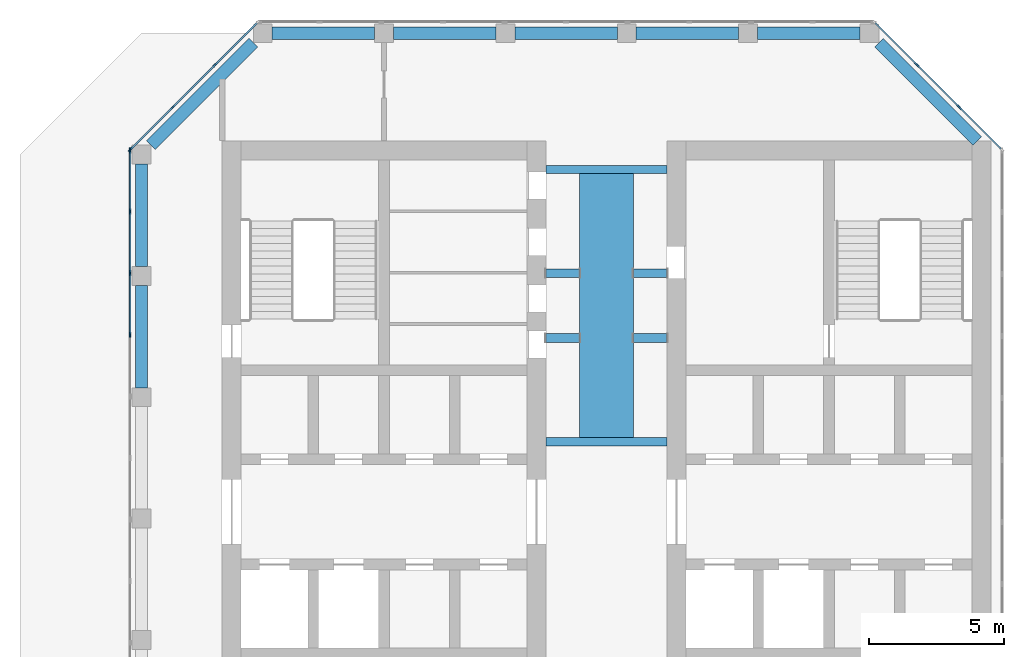
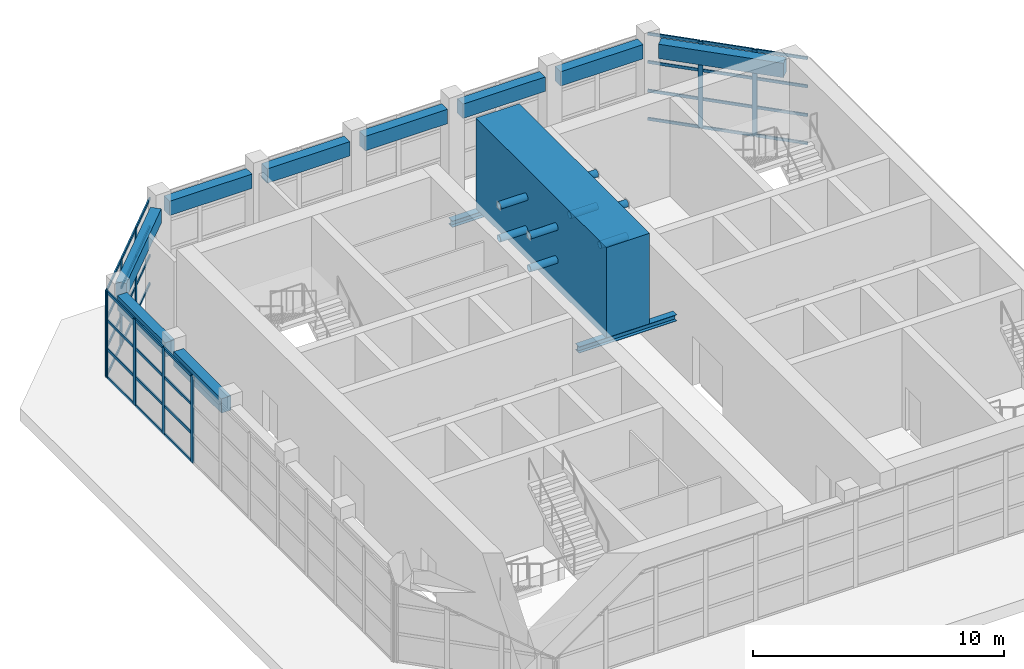
# One storey, part 4 of 13: 54 members, 11 beams, 3 elements without a shape of their own.
"""IFC4 building model written with IfcOpenShell, lengths in metres."""

from ifc_helpers import new_model, si_unit, direction, frame, origin, origin_2d, place, context, subcontext, project, spatial, rectangle, hollow_circle, i_section, extrude, material, material_profile, profile_set, type_object, element, aggregate, save


model = new_model("IFC4")

# Units and contexts
model_context = context("Model", 3, precision=1e-05, world=origin(), true_north=direction((0.0, 1.0)))
body_context = subcontext(model_context, "Body", "Model", "MODEL_VIEW")
ifc_project = project(units=[si_unit("LENGTHUNIT", "METRE"), si_unit("AREAUNIT", "SQUARE_METRE"), si_unit("VOLUMEUNIT", "CUBIC_METRE"), si_unit("PLANEANGLEUNIT", "RADIAN"), si_unit("MASSUNIT", "GRAM", prefix="KILO")], contexts=[model_context])

# Site, building, storey
site_placement = place(None, origin())
site = spatial("IfcSite", under=ifc_project, at=site_placement, CompositionType="ELEMENT")
building_placement = place(site_placement, origin())
building = spatial("IfcBuilding", under=site, at=building_placement, Name="Corbel Stack Research Tower", CompositionType="ELEMENT")
storey_placement = place(building_placement, frame((0.0, 0.0, 311.800048828125)))
storey = spatial("IfcBuildingStorey", under=building, at=storey_placement, Name="L70", CompositionType="ELEMENT", Elevation=311.800048828125)

# Curtain wall, members
ifc_material_1 = material(Name="Aluminium and glass", Category="aluminium")
curtain_wall_type = type_object("IfcCurtainWallType", Name="CW4C damper hall glazing wall, corner", PredefinedType="NOTDEFINED", material=ifc_material_1)
curtain_wall_1_placement = place(storey_placement, origin())
curtain_wall_1 = element("IfcCurtainWall", 1, at=curtain_wall_1_placement, inside=storey, type_object=curtain_wall_type, Name="Damper hall curtain wall L70 2", PredefinedType="NOTDEFINED")
ifc_material_2 = material(Name="Aluminium, anodised", Category="aluminium")
ifc_material_profile_1 = material_profile(ifc_material_2, rectangle(XDim=0.06005859375, YDim=0.199951171875, at=origin_2d()), Name="CW4 mullion 60 x 200")
ifc_profile_set_1 = profile_set([ifc_material_profile_1], Name="Aluminium, anodised")
member_type_1 = type_object("IfcMemberType", Name="CW4 mullion 60 x 200", PredefinedType="MULLION", material=ifc_profile_set_1)
member_1_placement = place(storey_placement, frame((-13.919921875, 11.319580078125, 0.0), z_axis=(0.0, 0.0, 1.0), x_axis=(-1.0, 0.0, 0.0)))
member_1 = element("IfcMember", 2, at=member_1_placement, type_object=member_type_1, Name="CW4C mullion 8", PredefinedType="MULLION", context=body_context, shape_type="SweptSolid", body=[
    extrude(rectangle(XDim=0.06005859375, YDim=0.199951171875, at=origin_2d()), origin(), (0.0, 0.0, 1.0), 4.199951171875),
])
member_2_placement = place(storey_placement, frame((-13.919921875, 13.6044921875, 0.0), z_axis=(0.0, 0.0, 1.0), x_axis=(-1.0, 0.0, 0.0)))
member_2 = element("IfcMember", 3, at=member_2_placement, type_object=member_type_1, Name="CW4C mullion 9", PredefinedType="MULLION", context=body_context, shape_type="SweptSolid", body=[
    extrude(rectangle(XDim=0.06005859375, YDim=0.199951171875, at=origin_2d()), origin(), (0.0, 0.0, 1.0), 4.199951171875),
])
member_3_placement = place(storey_placement, frame((-13.919921875, 15.88916015625, 0.0), z_axis=(0.0, 0.0, 1.0), x_axis=(-1.0, 0.0, 0.0)))
member_3 = element("IfcMember", 4, at=member_3_placement, type_object=member_type_1, Name="CW4C mullion 10", PredefinedType="MULLION", context=body_context, shape_type="SweptSolid", body=[
    extrude(rectangle(XDim=0.06005859375, YDim=0.199951171875, at=origin_2d()), origin(), (0.0, 0.0, 1.0), 4.199951171875),
])
member_4_placement = place(storey_placement, frame((-13.919921875, 18.14404296875, 0.0), z_axis=(0.0, 0.0, 1.0), x_axis=(-1.0, 0.0, 0.0)))
member_4 = element("IfcMember", 5, at=member_4_placement, type_object=member_type_1, Name="CW4C mullion 11", PredefinedType="MULLION", context=body_context, shape_type="SweptSolid", body=[
    extrude(rectangle(XDim=0.06005859375, YDim=0.199951171875, at=origin_2d()), origin(), (0.0, 0.0, 1.0), 4.199951171875),
])

curtain_wall_2_placement = place(storey_placement, origin())
curtain_wall_2 = element("IfcCurtainWall", 6, at=curtain_wall_2_placement, inside=storey, type_object=curtain_wall_type, Name="Damper hall curtain wall L70 3", PredefinedType="NOTDEFINED")
member_5_placement = place(storey_placement, frame((-13.898681640625, 18.1953125, 0.0), z_axis=(0.0, 0.0, 1.0), x_axis=(-0.707106781187, 0.707106781187, 0.0)))
member_5 = element("IfcMember", 7, at=member_5_placement, type_object=member_type_1, Name="CW4C mullion 1", PredefinedType="MULLION", context=body_context, shape_type="SweptSolid", body=[
    extrude(rectangle(XDim=0.06005859375, YDim=0.199951171875, at=origin_2d()), origin(), (0.0, 0.0, 1.0), 4.199951171875),
])
member_6_placement = place(storey_placement, frame((-12.337890625, 19.756103515625, 0.0), z_axis=(0.0, 0.0, 1.0), x_axis=(-0.707106781187, 0.707106781187, 0.0)))
member_6 = element("IfcMember", 8, at=member_6_placement, type_object=member_type_1, Name="CW4C mullion 2", PredefinedType="MULLION", context=body_context, shape_type="SweptSolid", body=[
    extrude(rectangle(XDim=0.06005859375, YDim=0.199951171875, at=origin_2d()), origin(), (0.0, 0.0, 1.0), 4.199951171875),
])
member_7_placement = place(storey_placement, frame((-10.756103515625, 21.337890625, 0.0), z_axis=(0.0, 0.0, 1.0), x_axis=(-0.707106781187, 0.707106781187, 0.0)))
member_7 = element("IfcMember", 9, at=member_7_placement, type_object=member_type_1, Name="CW4C mullion 3", PredefinedType="MULLION", context=body_context, shape_type="SweptSolid", body=[
    extrude(rectangle(XDim=0.06005859375, YDim=0.199951171875, at=origin_2d()), origin(), (0.0, 0.0, 1.0), 4.199951171875),
])

curtain_wall_3_placement = place(storey_placement, origin())
curtain_wall_3 = element("IfcCurtainWall", 10, at=curtain_wall_3_placement, inside=storey, type_object=curtain_wall_type, Name="Damper hall curtain wall L70 5", PredefinedType="NOTDEFINED")
member_8_placement = place(storey_placement, frame((15.256103515625, 21.337890625, 0.0), z_axis=(0.0, 0.0, 1.0), x_axis=(0.707106781187, 0.707106781187, 0.0)))
member_8 = element("IfcMember", 11, at=member_8_placement, type_object=member_type_1, Name="CW4C mullion 2", PredefinedType="MULLION", context=body_context, shape_type="SweptSolid", body=[
    extrude(rectangle(XDim=0.06005859375, YDim=0.199951171875, at=origin_2d()), origin(), (0.0, 0.0, 1.0), 4.199951171875),
])
member_9_placement = place(storey_placement, frame((16.837890625, 19.756103515625, 0.0), z_axis=(0.0, 0.0, 1.0), x_axis=(0.707106781187, 0.707106781187, 0.0)))
member_9 = element("IfcMember", 12, at=member_9_placement, type_object=member_type_1, Name="CW4C mullion 3", PredefinedType="MULLION", context=body_context, shape_type="SweptSolid", body=[
    extrude(rectangle(XDim=0.06005859375, YDim=0.199951171875, at=origin_2d()), origin(), (0.0, 0.0, 1.0), 4.199951171875),
])

# Member
ifc_material_3 = material(Name="Aluminium, anodised", Category="aluminium")
ifc_material_profile_2 = material_profile(ifc_material_3, rectangle(XDim=0.06005859375, YDim=0.139892578125, at=origin_2d()), Name="CW4 transom 60 x 140")
ifc_profile_set_2 = profile_set([ifc_material_profile_2], Name="Aluminium, anodised")
member_type_2 = type_object("IfcMemberType", Name="CW4 transom 60 x 140", PredefinedType="USERDEFINED", material=ifc_profile_set_2)
member_10_placement = place(storey_placement, frame((-13.919921875, 11.349609375, 0.030029296875), z_axis=(0.0, 1.0, 0.0), x_axis=(-1.0, 0.0, 0.0)))
member_10 = element("IfcMember", 13, at=member_10_placement, type_object=member_type_2, Name="CW4C transom 8.1", ObjectType="TRANSOM", PredefinedType="USERDEFINED", context=body_context, shape_type="SweptSolid", body=[
    extrude(rectangle(XDim=0.06005859375, YDim=0.139892578125, at=origin_2d()), origin(), (0.0, 0.0, 1.0), 2.224853515625),
])

member_11_placement = place(storey_placement, frame((-13.919921875, 11.349609375, 1.39990234375), z_axis=(0.0, 1.0, 0.0), x_axis=(-1.0, 0.0, 0.0)))
member_11 = element("IfcMember", 14, at=member_11_placement, type_object=member_type_2, Name="CW4C transom 8.2", ObjectType="TRANSOM", PredefinedType="USERDEFINED", context=body_context, shape_type="SweptSolid", body=[
    extrude(rectangle(XDim=0.06005859375, YDim=0.139892578125, at=origin_2d()), origin(), (0.0, 0.0, 1.0), 2.224853515625),
])

member_12_placement = place(storey_placement, frame((-13.919921875, 11.349609375, 2.800048828125), z_axis=(0.0, 1.0, 0.0), x_axis=(-1.0, 0.0, 0.0)))
member_12 = element("IfcMember", 15, at=member_12_placement, type_object=member_type_2, Name="CW4C transom 8.3", ObjectType="TRANSOM", PredefinedType="USERDEFINED", context=body_context, shape_type="SweptSolid", body=[
    extrude(rectangle(XDim=0.06005859375, YDim=0.139892578125, at=origin_2d()), origin(), (0.0, 0.0, 1.0), 2.224853515625),
])

member_13_placement = place(storey_placement, frame((-13.919921875, 11.349609375, 4.169921875), z_axis=(0.0, 1.0, 0.0), x_axis=(-1.0, 0.0, 0.0)))
member_13 = element("IfcMember", 16, at=member_13_placement, type_object=member_type_2, Name="CW4C transom 8.4", ObjectType="TRANSOM", PredefinedType="USERDEFINED", context=body_context, shape_type="SweptSolid", body=[
    extrude(rectangle(XDim=0.06005859375, YDim=0.139892578125, at=origin_2d()), origin(), (0.0, 0.0, 1.0), 2.224853515625),
])

member_14_placement = place(storey_placement, frame((-13.919921875, 13.634521484375, 0.030029296875), z_axis=(0.0, 1.0, 0.0), x_axis=(-1.0, 0.0, 0.0)))
member_14 = element("IfcMember", 17, at=member_14_placement, type_object=member_type_2, Name="CW4C transom 9.1", ObjectType="TRANSOM", PredefinedType="USERDEFINED", context=body_context, shape_type="SweptSolid", body=[
    extrude(rectangle(XDim=0.06005859375, YDim=0.139892578125, at=origin_2d()), origin(), (0.0, 0.0, 1.0), 2.224609375),
])

member_15_placement = place(storey_placement, frame((-13.919921875, 13.634521484375, 1.39990234375), z_axis=(0.0, 1.0, 0.0), x_axis=(-1.0, 0.0, 0.0)))
member_15 = element("IfcMember", 18, at=member_15_placement, type_object=member_type_2, Name="CW4C transom 9.2", ObjectType="TRANSOM", PredefinedType="USERDEFINED", context=body_context, shape_type="SweptSolid", body=[
    extrude(rectangle(XDim=0.06005859375, YDim=0.139892578125, at=origin_2d()), origin(), (0.0, 0.0, 1.0), 2.224609375),
])

member_16_placement = place(storey_placement, frame((-13.919921875, 13.634521484375, 2.800048828125), z_axis=(0.0, 1.0, 0.0), x_axis=(-1.0, 0.0, 0.0)))
member_16 = element("IfcMember", 19, at=member_16_placement, type_object=member_type_2, Name="CW4C transom 9.3", ObjectType="TRANSOM", PredefinedType="USERDEFINED", context=body_context, shape_type="SweptSolid", body=[
    extrude(rectangle(XDim=0.06005859375, YDim=0.139892578125, at=origin_2d()), origin(), (0.0, 0.0, 1.0), 2.224609375),
])

member_17_placement = place(storey_placement, frame((-13.919921875, 13.634521484375, 4.169921875), z_axis=(0.0, 1.0, 0.0), x_axis=(-1.0, 0.0, 0.0)))
member_17 = element("IfcMember", 20, at=member_17_placement, type_object=member_type_2, Name="CW4C transom 9.4", ObjectType="TRANSOM", PredefinedType="USERDEFINED", context=body_context, shape_type="SweptSolid", body=[
    extrude(rectangle(XDim=0.06005859375, YDim=0.139892578125, at=origin_2d()), origin(), (0.0, 0.0, 1.0), 2.224609375),
])

member_18_placement = place(storey_placement, frame((-13.919921875, 15.919189453125, 0.030029296875), z_axis=(0.0, 1.0, 0.0), x_axis=(-1.0, 0.0, 0.0)))
member_18 = element("IfcMember", 21, at=member_18_placement, type_object=member_type_2, Name="CW4C transom 10.1", ObjectType="TRANSOM", PredefinedType="USERDEFINED", context=body_context, shape_type="SweptSolid", body=[
    extrude(rectangle(XDim=0.06005859375, YDim=0.139892578125, at=origin_2d()), origin(), (0.0, 0.0, 1.0), 2.19482421875),
])

member_19_placement = place(storey_placement, frame((-13.919921875, 15.919189453125, 1.39990234375), z_axis=(0.0, 1.0, 0.0), x_axis=(-1.0, 0.0, 0.0)))
member_19 = element("IfcMember", 22, at=member_19_placement, type_object=member_type_2, Name="CW4C transom 10.2", ObjectType="TRANSOM", PredefinedType="USERDEFINED", context=body_context, shape_type="SweptSolid", body=[
    extrude(rectangle(XDim=0.06005859375, YDim=0.139892578125, at=origin_2d()), origin(), (0.0, 0.0, 1.0), 2.19482421875),
])

member_20_placement = place(storey_placement, frame((-13.919921875, 15.919189453125, 2.800048828125), z_axis=(0.0, 1.0, 0.0), x_axis=(-1.0, 0.0, 0.0)))
member_20 = element("IfcMember", 23, at=member_20_placement, type_object=member_type_2, Name="CW4C transom 10.3", ObjectType="TRANSOM", PredefinedType="USERDEFINED", context=body_context, shape_type="SweptSolid", body=[
    extrude(rectangle(XDim=0.06005859375, YDim=0.139892578125, at=origin_2d()), origin(), (0.0, 0.0, 1.0), 2.19482421875),
])

member_21_placement = place(storey_placement, frame((-13.919921875, 15.919189453125, 4.169921875), z_axis=(0.0, 1.0, 0.0), x_axis=(-1.0, 0.0, 0.0)))
member_21 = element("IfcMember", 24, at=member_21_placement, type_object=member_type_2, Name="CW4C transom 10.4", ObjectType="TRANSOM", PredefinedType="USERDEFINED", context=body_context, shape_type="SweptSolid", body=[
    extrude(rectangle(XDim=0.06005859375, YDim=0.139892578125, at=origin_2d()), origin(), (0.0, 0.0, 1.0), 2.19482421875),
])

aggregate(curtain_wall_1, [member_1, member_2, member_3, member_4, member_10, member_11, member_12, member_13, member_14, member_15, member_16, member_17, member_18, member_19, member_20, member_21])

member_22_placement = place(storey_placement, frame((-13.877685546875, 18.21630859375, 0.030029296875), z_axis=(0.707106781187, 0.707106781187, 0.0), x_axis=(-0.707106781187, 0.707106781187, 0.0)))
member_22 = element("IfcMember", 25, at=member_22_placement, type_object=member_type_2, Name="CW4C transom 1.1", ObjectType="TRANSOM", PredefinedType="USERDEFINED", context=body_context, shape_type="SweptSolid", body=[
    extrude(rectangle(XDim=0.06005859375, YDim=0.139892578125, at=origin_2d()), origin(), (0.0, 0.0, 1.0), 2.1474609375),
])

member_23_placement = place(storey_placement, frame((-13.877685546875, 18.21630859375, 1.39990234375), z_axis=(0.707106781187, 0.707106781187, 0.0), x_axis=(-0.707106781187, 0.707106781187, 0.0)))
member_23 = element("IfcMember", 26, at=member_23_placement, type_object=member_type_2, Name="CW4C transom 1.2", ObjectType="TRANSOM", PredefinedType="USERDEFINED", context=body_context, shape_type="SweptSolid", body=[
    extrude(rectangle(XDim=0.06005859375, YDim=0.139892578125, at=origin_2d()), origin(), (0.0, 0.0, 1.0), 2.1474609375),
])

member_24_placement = place(storey_placement, frame((-13.877685546875, 18.21630859375, 2.800048828125), z_axis=(0.707106781187, 0.707106781187, 0.0), x_axis=(-0.707106781187, 0.707106781187, 0.0)))
member_24 = element("IfcMember", 27, at=member_24_placement, type_object=member_type_2, Name="CW4C transom 1.3", ObjectType="TRANSOM", PredefinedType="USERDEFINED", context=body_context, shape_type="SweptSolid", body=[
    extrude(rectangle(XDim=0.06005859375, YDim=0.139892578125, at=origin_2d()), origin(), (0.0, 0.0, 1.0), 2.1474609375),
])

member_25_placement = place(storey_placement, frame((-13.877685546875, 18.21630859375, 4.169921875), z_axis=(0.707106781187, 0.707106781187, 0.0), x_axis=(-0.707106781187, 0.707106781187, 0.0)))
member_25 = element("IfcMember", 28, at=member_25_placement, type_object=member_type_2, Name="CW4C transom 1.4", ObjectType="TRANSOM", PredefinedType="USERDEFINED", context=body_context, shape_type="SweptSolid", body=[
    extrude(rectangle(XDim=0.06005859375, YDim=0.139892578125, at=origin_2d()), origin(), (0.0, 0.0, 1.0), 2.1474609375),
])

member_26_placement = place(storey_placement, frame((-12.31689453125, 19.777099609375, 0.030029296875), z_axis=(0.707106781187, 0.707106781187, 0.0), x_axis=(-0.707106781187, 0.707106781187, 0.0)))
member_26 = element("IfcMember", 29, at=member_26_placement, type_object=member_type_2, Name="CW4C transom 2.1", ObjectType="TRANSOM", PredefinedType="USERDEFINED", context=body_context, shape_type="SweptSolid", body=[
    extrude(rectangle(XDim=0.06005859375, YDim=0.139892578125, at=origin_2d()), origin(), (0.0, 0.0, 1.0), 2.177490234375),
])

member_27_placement = place(storey_placement, frame((-12.31689453125, 19.777099609375, 1.39990234375), z_axis=(0.707106781187, 0.707106781187, 0.0), x_axis=(-0.707106781187, 0.707106781187, 0.0)))
member_27 = element("IfcMember", 30, at=member_27_placement, type_object=member_type_2, Name="CW4C transom 2.2", ObjectType="TRANSOM", PredefinedType="USERDEFINED", context=body_context, shape_type="SweptSolid", body=[
    extrude(rectangle(XDim=0.06005859375, YDim=0.139892578125, at=origin_2d()), origin(), (0.0, 0.0, 1.0), 2.177490234375),
])

member_28_placement = place(storey_placement, frame((-12.31689453125, 19.777099609375, 2.800048828125), z_axis=(0.707106781187, 0.707106781187, 0.0), x_axis=(-0.707106781187, 0.707106781187, 0.0)))
member_28 = element("IfcMember", 31, at=member_28_placement, type_object=member_type_2, Name="CW4C transom 2.3", ObjectType="TRANSOM", PredefinedType="USERDEFINED", context=body_context, shape_type="SweptSolid", body=[
    extrude(rectangle(XDim=0.06005859375, YDim=0.139892578125, at=origin_2d()), origin(), (0.0, 0.0, 1.0), 2.177490234375),
])

member_29_placement = place(storey_placement, frame((-12.31689453125, 19.777099609375, 4.169921875), z_axis=(0.707106781187, 0.707106781187, 0.0), x_axis=(-0.707106781187, 0.707106781187, 0.0)))
member_29 = element("IfcMember", 32, at=member_29_placement, type_object=member_type_2, Name="CW4C transom 2.4", ObjectType="TRANSOM", PredefinedType="USERDEFINED", context=body_context, shape_type="SweptSolid", body=[
    extrude(rectangle(XDim=0.06005859375, YDim=0.139892578125, at=origin_2d()), origin(), (0.0, 0.0, 1.0), 2.177490234375),
])

member_30_placement = place(storey_placement, frame((-10.73486328125, 21.359130859375, 0.030029296875), z_axis=(0.707106781187, 0.707106781187, 0.0), x_axis=(-0.707106781187, 0.707106781187, 0.0)))
member_30 = element("IfcMember", 33, at=member_30_placement, type_object=member_type_2, Name="CW4C transom 3.1", ObjectType="TRANSOM", PredefinedType="USERDEFINED", context=body_context, shape_type="SweptSolid", body=[
    extrude(rectangle(XDim=0.06005859375, YDim=0.139892578125, at=origin_2d()), origin(), (0.0, 0.0, 1.0), 2.1474609375),
])

member_31_placement = place(storey_placement, frame((-10.73486328125, 21.359130859375, 1.39990234375), z_axis=(0.707106781187, 0.707106781187, 0.0), x_axis=(-0.707106781187, 0.707106781187, 0.0)))
member_31 = element("IfcMember", 34, at=member_31_placement, type_object=member_type_2, Name="CW4C transom 3.2", ObjectType="TRANSOM", PredefinedType="USERDEFINED", context=body_context, shape_type="SweptSolid", body=[
    extrude(rectangle(XDim=0.06005859375, YDim=0.139892578125, at=origin_2d()), origin(), (0.0, 0.0, 1.0), 2.1474609375),
])

member_32_placement = place(storey_placement, frame((-10.73486328125, 21.359130859375, 2.800048828125), z_axis=(0.707106781187, 0.707106781187, 0.0), x_axis=(-0.707106781187, 0.707106781187, 0.0)))
member_32 = element("IfcMember", 35, at=member_32_placement, type_object=member_type_2, Name="CW4C transom 3.3", ObjectType="TRANSOM", PredefinedType="USERDEFINED", context=body_context, shape_type="SweptSolid", body=[
    extrude(rectangle(XDim=0.06005859375, YDim=0.139892578125, at=origin_2d()), origin(), (0.0, 0.0, 1.0), 2.1474609375),
])

member_33_placement = place(storey_placement, frame((-10.73486328125, 21.359130859375, 4.169921875), z_axis=(0.707106781187, 0.707106781187, 0.0), x_axis=(-0.707106781187, 0.707106781187, 0.0)))
member_33 = element("IfcMember", 36, at=member_33_placement, type_object=member_type_2, Name="CW4C transom 3.4", ObjectType="TRANSOM", PredefinedType="USERDEFINED", context=body_context, shape_type="SweptSolid", body=[
    extrude(rectangle(XDim=0.06005859375, YDim=0.139892578125, at=origin_2d()), origin(), (0.0, 0.0, 1.0), 2.1474609375),
])

aggregate(curtain_wall_2, [member_5, member_6, member_7, member_22, member_23, member_24, member_25, member_26, member_27, member_28, member_29, member_30, member_31, member_32, member_33])

member_34_placement = place(storey_placement, frame((13.71630859375, 22.877685546875, 0.030029296875), z_axis=(0.707106781187, -0.707106781187, 0.0), x_axis=(0.707106781187, 0.707106781187, 0.0)))
member_34 = element("IfcMember", 37, at=member_34_placement, type_object=member_type_2, Name="CW4C transom 1.1", ObjectType="TRANSOM", PredefinedType="USERDEFINED", context=body_context, shape_type="SweptSolid", body=[
    extrude(rectangle(XDim=0.06005859375, YDim=0.139892578125, at=origin_2d()), origin(), (0.0, 0.0, 1.0), 2.1474609375),
])

member_35_placement = place(storey_placement, frame((13.71630859375, 22.877685546875, 1.39990234375), z_axis=(0.707106781187, -0.707106781187, 0.0), x_axis=(0.707106781187, 0.707106781187, 0.0)))
member_35 = element("IfcMember", 38, at=member_35_placement, type_object=member_type_2, Name="CW4C transom 1.2", ObjectType="TRANSOM", PredefinedType="USERDEFINED", context=body_context, shape_type="SweptSolid", body=[
    extrude(rectangle(XDim=0.06005859375, YDim=0.139892578125, at=origin_2d()), origin(), (0.0, 0.0, 1.0), 2.1474609375),
])

member_36_placement = place(storey_placement, frame((13.71630859375, 22.877685546875, 2.800048828125), z_axis=(0.707106781187, -0.707106781187, 0.0), x_axis=(0.707106781187, 0.707106781187, 0.0)))
member_36 = element("IfcMember", 39, at=member_36_placement, type_object=member_type_2, Name="CW4C transom 1.3", ObjectType="TRANSOM", PredefinedType="USERDEFINED", context=body_context, shape_type="SweptSolid", body=[
    extrude(rectangle(XDim=0.06005859375, YDim=0.139892578125, at=origin_2d()), origin(), (0.0, 0.0, 1.0), 2.1474609375),
])

member_37_placement = place(storey_placement, frame((13.71630859375, 22.877685546875, 4.169921875), z_axis=(0.707106781187, -0.707106781187, 0.0), x_axis=(0.707106781187, 0.707106781187, 0.0)))
member_37 = element("IfcMember", 40, at=member_37_placement, type_object=member_type_2, Name="CW4C transom 1.4", ObjectType="TRANSOM", PredefinedType="USERDEFINED", context=body_context, shape_type="SweptSolid", body=[
    extrude(rectangle(XDim=0.06005859375, YDim=0.139892578125, at=origin_2d()), origin(), (0.0, 0.0, 1.0), 2.1474609375),
])

member_38_placement = place(storey_placement, frame((15.277099609375, 21.31689453125, 0.030029296875), z_axis=(0.707106781187, -0.707106781187, 0.0), x_axis=(0.707106781187, 0.707106781187, 0.0)))
member_38 = element("IfcMember", 41, at=member_38_placement, type_object=member_type_2, Name="CW4C transom 2.1", ObjectType="TRANSOM", PredefinedType="USERDEFINED", context=body_context, shape_type="SweptSolid", body=[
    extrude(rectangle(XDim=0.06005859375, YDim=0.139892578125, at=origin_2d()), origin(), (0.0, 0.0, 1.0), 2.177490234375),
])

member_39_placement = place(storey_placement, frame((15.277099609375, 21.31689453125, 1.39990234375), z_axis=(0.707106781187, -0.707106781187, 0.0), x_axis=(0.707106781187, 0.707106781187, 0.0)))
member_39 = element("IfcMember", 42, at=member_39_placement, type_object=member_type_2, Name="CW4C transom 2.2", ObjectType="TRANSOM", PredefinedType="USERDEFINED", context=body_context, shape_type="SweptSolid", body=[
    extrude(rectangle(XDim=0.06005859375, YDim=0.139892578125, at=origin_2d()), origin(), (0.0, 0.0, 1.0), 2.177490234375),
])

member_40_placement = place(storey_placement, frame((15.277099609375, 21.31689453125, 2.800048828125), z_axis=(0.707106781187, -0.707106781187, 0.0), x_axis=(0.707106781187, 0.707106781187, 0.0)))
member_40 = element("IfcMember", 43, at=member_40_placement, type_object=member_type_2, Name="CW4C transom 2.3", ObjectType="TRANSOM", PredefinedType="USERDEFINED", context=body_context, shape_type="SweptSolid", body=[
    extrude(rectangle(XDim=0.06005859375, YDim=0.139892578125, at=origin_2d()), origin(), (0.0, 0.0, 1.0), 2.177490234375),
])

member_41_placement = place(storey_placement, frame((15.277099609375, 21.31689453125, 4.169921875), z_axis=(0.707106781187, -0.707106781187, 0.0), x_axis=(0.707106781187, 0.707106781187, 0.0)))
member_41 = element("IfcMember", 44, at=member_41_placement, type_object=member_type_2, Name="CW4C transom 2.4", ObjectType="TRANSOM", PredefinedType="USERDEFINED", context=body_context, shape_type="SweptSolid", body=[
    extrude(rectangle(XDim=0.06005859375, YDim=0.139892578125, at=origin_2d()), origin(), (0.0, 0.0, 1.0), 2.177490234375),
])

member_42_placement = place(storey_placement, frame((16.859130859375, 19.73486328125, 0.030029296875), z_axis=(0.707106781187, -0.707106781187, 0.0), x_axis=(0.707106781187, 0.707106781187, 0.0)))
member_42 = element("IfcMember", 45, at=member_42_placement, type_object=member_type_2, Name="CW4C transom 3.1", ObjectType="TRANSOM", PredefinedType="USERDEFINED", context=body_context, shape_type="SweptSolid", body=[
    extrude(rectangle(XDim=0.06005859375, YDim=0.139892578125, at=origin_2d()), origin(), (0.0, 0.0, 1.0), 2.1474609375),
])

member_43_placement = place(storey_placement, frame((16.859130859375, 19.73486328125, 1.39990234375), z_axis=(0.707106781187, -0.707106781187, 0.0), x_axis=(0.707106781187, 0.707106781187, 0.0)))
member_43 = element("IfcMember", 46, at=member_43_placement, type_object=member_type_2, Name="CW4C transom 3.2", ObjectType="TRANSOM", PredefinedType="USERDEFINED", context=body_context, shape_type="SweptSolid", body=[
    extrude(rectangle(XDim=0.06005859375, YDim=0.139892578125, at=origin_2d()), origin(), (0.0, 0.0, 1.0), 2.1474609375),
])

member_44_placement = place(storey_placement, frame((16.859130859375, 19.73486328125, 2.800048828125), z_axis=(0.707106781187, -0.707106781187, 0.0), x_axis=(0.707106781187, 0.707106781187, 0.0)))
member_44 = element("IfcMember", 47, at=member_44_placement, type_object=member_type_2, Name="CW4C transom 3.3", ObjectType="TRANSOM", PredefinedType="USERDEFINED", context=body_context, shape_type="SweptSolid", body=[
    extrude(rectangle(XDim=0.06005859375, YDim=0.139892578125, at=origin_2d()), origin(), (0.0, 0.0, 1.0), 2.1474609375),
])

member_45_placement = place(storey_placement, frame((16.859130859375, 19.73486328125, 4.169921875), z_axis=(0.707106781187, -0.707106781187, 0.0), x_axis=(0.707106781187, 0.707106781187, 0.0)))
member_45 = element("IfcMember", 48, at=member_45_placement, type_object=member_type_2, Name="CW4C transom 3.4", ObjectType="TRANSOM", PredefinedType="USERDEFINED", context=body_context, shape_type="SweptSolid", body=[
    extrude(rectangle(XDim=0.06005859375, YDim=0.139892578125, at=origin_2d()), origin(), (0.0, 0.0, 1.0), 2.1474609375),
])

aggregate(curtain_wall_3, [member_8, member_9, member_34, member_35, member_36, member_37, member_38, member_39, member_40, member_41, member_42, member_43, member_44, member_45])

# Beams
ifc_material_4 = material(Name="Steel S355", Category="steel")
ifc_material_profile_3 = material_profile(ifc_material_4, i_section(OverallWidth=0.304931640625, OverallDepth=0.30810546875, WebThickness=0.010009765625, FlangeThickness=0.014892578125, at=origin_2d()), Name="W12x65")
ifc_profile_set_3 = profile_set([ifc_material_profile_3], Name="Steel S355")
beam_type_1 = type_object("IfcBeamType", Name="Damper mass support beam W12x65", PredefinedType="BEAM", material=ifc_profile_set_3)
for number, where, z_axis, x_axis, name in (
    (49, (1.5, 7.35009765625, 2.5458984375), (1.0, 0.0, 0.0), (0.0, 1.0, 0.0), "Damper mass support beam 1"),
    (50, (1.5, 17.449951171875, 2.5458984375), (1.0, 0.0, 0.0), (0.0, 1.0, 0.0), "Damper mass support beam 2"),
):
    element("IfcBeam", number, at=place(storey_placement, frame(where, z_axis=z_axis, x_axis=x_axis)), inside=storey, type_object=beam_type_1, Name=name, PredefinedType="BEAM", context=body_context, shape_type="SweptSolid", body=[
        extrude(i_section(OverallWidth=0.304931640625, OverallDepth=0.30810546875, WebThickness=0.010009765625, FlangeThickness=0.014892578125, at=origin_2d()), origin(), (0.0, 0.0, 1.0), 4.5),
    ])
ifc_material_5 = material(Name="Concrete C60/75", Category="concrete")
ifc_material_profile_4 = material_profile(ifc_material_5, rectangle(XDim=0.449951171875, YDim=0.699951171875, at=origin_2d()), Name="RC 450 x 700")
ifc_profile_set_4 = profile_set([ifc_material_profile_4], Name="Concrete C60/75")
beam_type_2 = type_object("IfcBeamType", Name="SB-450-700", PredefinedType="SPANDREL", material=ifc_profile_set_4)
beam_1_placement = place(storey_placement, frame((17.5, 18.5, 3.849853515625), z_axis=(-0.707106781187, 0.707106781187, 0.0), x_axis=(-0.707106781187, -0.707106781187, 0.0)))
element("IfcBeam", 51, at=beam_1_placement, inside=storey, type_object=beam_type_2, Name="Spandrel beam L70-03", PredefinedType="SPANDREL", context=body_context, shape_type="SweptSolid", body=[
    extrude(rectangle(XDim=0.449951171875, YDim=0.699951171875, at=origin_2d()), origin(), (0.0, 0.0, 1.0), 5.16162109375),
])
for number, where, z_axis, x_axis, name in (
    (52, (13.14990234375, 22.5, 3.849853515625), (-1.0, 0.0, 0.0), (0.0, -1.0, 0.0), "Spandrel beam L70-04"),
    (53, (8.64990234375, 22.5, 3.849853515625), (-1.0, 0.0, 0.0), (0.0, -1.0, 0.0), "Spandrel beam L70-05"),
    (54, (4.14990234375, 22.5, 3.849853515625), (-1.0, 0.0, 0.0), (0.0, -1.0, 0.0), "Spandrel beam L70-06"),
    (55, (-0.35009765625, 22.5, 3.849853515625), (-1.0, 0.0, 0.0), (0.0, -1.0, 0.0), "Spandrel beam L70-07"),
    (56, (-4.85009765625, 22.5, 3.849853515625), (-1.0, 0.0, 0.0), (0.0, -1.0, 0.0), "Spandrel beam L70-08"),
):
    element("IfcBeam", number, at=place(storey_placement, frame(where, z_axis=z_axis, x_axis=x_axis)), inside=storey, type_object=beam_type_2, Name=name, PredefinedType="SPANDREL", context=body_context, shape_type="SweptSolid", body=[
        extrude(rectangle(XDim=0.449951171875, YDim=0.699951171875, at=origin_2d()), origin(), (0.0, 0.0, 1.0), 3.7998046875),
    ])
beam_2_placement = place(storey_placement, frame((-9.35009765625, 22.14990234375, 3.849853515625), z_axis=(-0.707106781187, -0.707106781187, 0.0), x_axis=(0.707106781187, -0.707106781187, 0.0)))
element("IfcBeam", 57, at=beam_2_placement, inside=storey, type_object=beam_type_2, Name="Spandrel beam L70-09", PredefinedType="SPANDREL", context=body_context, shape_type="SweptSolid", body=[
    extrude(rectangle(XDim=0.449951171875, YDim=0.699951171875, at=origin_2d()), origin(), (0.0, 0.0, 1.0), 5.373779296875),
])
for number, where, z_axis, x_axis, name in (
    (58, (-13.5, 17.64990234375, 3.849853515625), (0.0, -1.0, 0.0), (1.0, 0.0, 0.0), "Spandrel beam L70-10"),
    (59, (-13.5, 13.14990234375, 3.849853515625), (0.0, -1.0, 0.0), (1.0, 0.0, 0.0), "Spandrel beam L70-11"),
):
    element("IfcBeam", number, at=place(storey_placement, frame(where, z_axis=z_axis, x_axis=x_axis)), inside=storey, type_object=beam_type_2, Name=name, PredefinedType="SPANDREL", context=body_context, shape_type="SweptSolid", body=[
        extrude(rectangle(XDim=0.449951171875, YDim=0.699951171875, at=origin_2d()), origin(), (0.0, 0.0, 1.0), 3.7998046875),
    ])

# Members
ifc_material_6 = material(Name="Steel S355 casing with steel ballast", Category="steel")
member_type_3 = type_object("IfcMemberType", Name="Tuned mass damper block 2000 x 10400 x 4400", PredefinedType="USERDEFINED", material=ifc_material_6)
member_46_placement = place(storey_placement, frame((3.75, 12.39990234375, 2.699951171875), z_axis=(0.0, 0.0, 1.0), x_axis=(1.0, 0.0, 0.0)))
element("IfcMember", 60, at=member_46_placement, inside=storey, type_object=member_type_3, Name="Tuned mass damper block", ObjectType="TUNED MASS DAMPER", PredefinedType="USERDEFINED", context=body_context, shape_type="SweptSolid", body=[
    extrude(rectangle(XDim=2.0, YDim=10.39990234375, at=origin_2d()), origin(), (0.0, 0.0, 1.0), 4.39990234375),
])
ifc_material_7 = material(Name="Steel S355", Category="steel")
ifc_material_profile_5 = material_profile(ifc_material_7, hollow_circle(Radius=0.161865234375, WallThickness=0.0126953125, at=origin_2d()), Name="Pipe 12 XS")
ifc_profile_set_5 = profile_set([ifc_material_profile_5], Name="Steel S355")
member_type_4 = type_object("IfcMemberType", Name="Viscous damper Pipe 12 XS", PredefinedType="USERDEFINED", material=ifc_profile_set_5)
for number, where, z_axis, x_axis, name in (
    (61, (2.75, 11.199951171875, 4.099853515625), (-1.0, 0.0, 0.0), (0.0, -1.0, 0.0), "Viscous damper W1"),
    (62, (2.75, 11.199951171875, 5.699951171875), (-1.0, 0.0, 0.0), (0.0, -1.0, 0.0), "Viscous damper W2"),
    (63, (2.75, 13.60009765625, 4.099853515625), (-1.0, 0.0, 0.0), (0.0, -1.0, 0.0), "Viscous damper W3"),
    (64, (2.75, 13.60009765625, 5.699951171875), (-1.0, 0.0, 0.0), (0.0, -1.0, 0.0), "Viscous damper W4"),
    (65, (4.75, 11.199951171875, 4.099853515625), (1.0, 0.0, 0.0), (0.0, 1.0, 0.0), "Viscous damper E5"),
    (66, (4.75, 11.199951171875, 5.699951171875), (1.0, 0.0, 0.0), (0.0, 1.0, 0.0), "Viscous damper E6"),
    (67, (4.75, 13.60009765625, 4.099853515625), (1.0, 0.0, 0.0), (0.0, 1.0, 0.0), "Viscous damper E7"),
    (68, (4.75, 13.60009765625, 5.699951171875), (1.0, 0.0, 0.0), (0.0, 1.0, 0.0), "Viscous damper E8"),
):
    element("IfcMember", number, at=place(storey_placement, frame(where, z_axis=z_axis, x_axis=x_axis)), inside=storey, type_object=member_type_4, Name=name, ObjectType="VISCOUS DAMPER", PredefinedType="USERDEFINED", context=body_context, shape_type="SweptSolid", body=[
        extrude(hollow_circle(Radius=0.161865234375, WallThickness=0.0126953125, at=origin_2d()), origin(), (0.0, 0.0, 1.0), 1.25),
    ])

save(model, "model.ifc")
